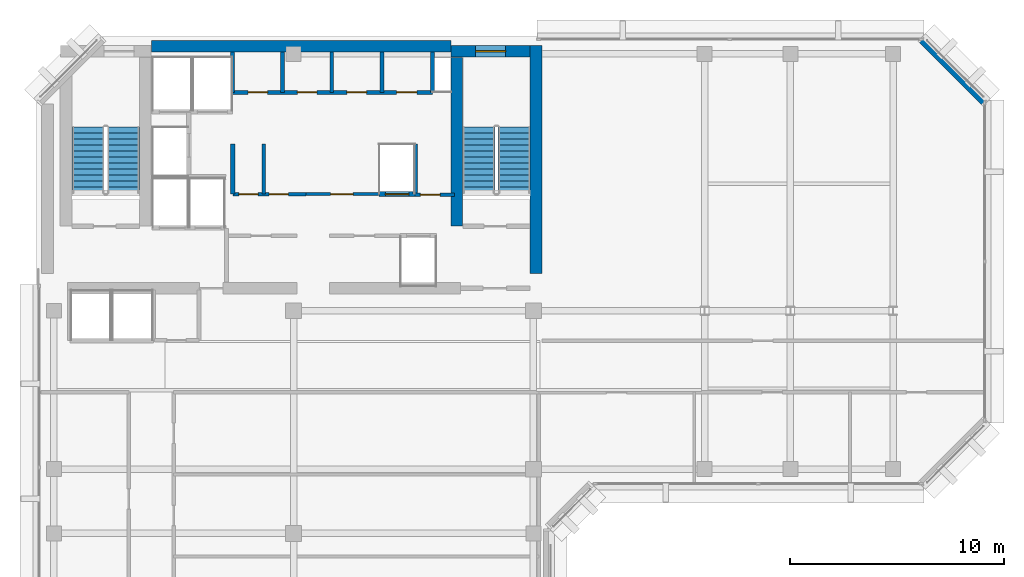
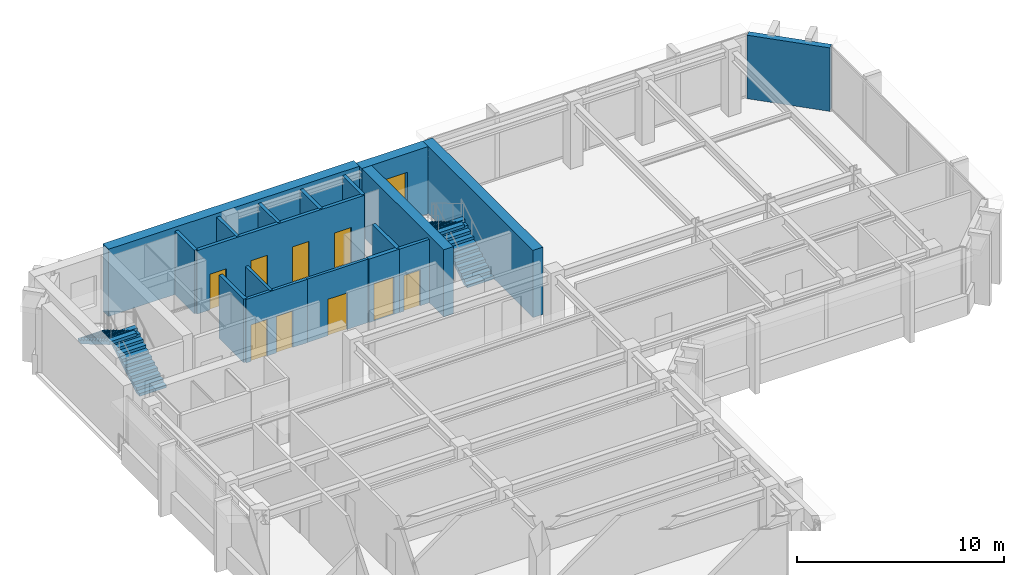
# One storey, part 8 of 11: 18 walls, 9 doors, 4 stair flights, 1 window, 10 openings, 2 elements without a shape of their own.
"""IFC4 building model written with IfcOpenShell, lengths in metres."""

from ifc_helpers import new_model, si_unit, direction, frame, frame_2d, origin, place, context, subcontext, project, spatial, polyline, rectangle, outline, extrude, material, layer, layer_set, type_object, element, fill, aggregate, save


model = new_model("IFC4")

# Units and contexts
model_context = context("Model", 3, precision=1e-05, world=origin(), true_north=direction((0.0, 1.0)))
body_context = subcontext(model_context, "Body", "Model", "MODEL_VIEW")
ifc_project = project(units=[si_unit("LENGTHUNIT", "METRE"), si_unit("AREAUNIT", "SQUARE_METRE"), si_unit("VOLUMEUNIT", "CUBIC_METRE"), si_unit("PLANEANGLEUNIT", "RADIAN"), si_unit("MASSUNIT", "GRAM", prefix="KILO")], contexts=[model_context])

# Site, building, storey
site_placement = place(None, origin())
site = spatial("IfcSite", under=ifc_project, at=site_placement, CompositionType="ELEMENT")
building_placement = place(site_placement, origin())
building = spatial("IfcBuilding", under=site, at=building_placement, Name="Kefirva Bronze Tower", CompositionType="ELEMENT")
storey_placement = place(building_placement, frame((0.0, 0.0, 335.610107421875)))
storey = spatial("IfcBuildingStorey", under=building, at=storey_placement, Name="L82", CompositionType="ELEMENT", Elevation=335.610107421875)

# Wall, opening, door
ifc_material_1 = material(Name="Gypsum acoustic partition")
ifc_layer_1 = layer(ifc_material_1, 0.14990234375, Name="Gypsum acoustic partition")
ifc_layer_set_1 = layer_set([ifc_layer_1], Name="Gypsum acoustic partition")
wall_type_1 = type_object("IfcWallType", Name="Executive Suite Partition 150mm", PredefinedType="PARTITIONING", material=ifc_layer_set_1)
wall_1_placement = place(storey_placement, frame((12.580078125, 38.64990234375, 0.0), z_axis=(0.0, 0.0, 1.0), x_axis=(1.0, 0.0, 0.0)))
wall_1 = element("IfcWall", 1, at=wall_1_placement, inside=storey, type_object=wall_type_1, Name="L82 Partition W-L82-RECMP2", PredefinedType="PARTITIONING", context=body_context, shape_type="SweptSolid", body=[
    extrude(rectangle(XDim=3.3798828125, YDim=0.14990234375, at=frame_2d((1.68994140625, 0.0))), origin(), (0.0, 0.0, 1.0), 3.739990234375),
])
opening_1_placement = place(wall_1_placement, frame((2.199951171875, 0.0, 0.0), z_axis=(0.0, 0.0, 1.0), x_axis=(-1.0, 0.0, 0.0)))
opening_1 = element("IfcOpeningElement", 2, at=opening_1_placement, cuts=wall_1, Name="Opening L82-D-RECMP2", PredefinedType="OPENING", context=body_context, shape_type="SweptSolid", body=[
    extrude(rectangle(XDim=1.050048828125, YDim=2.14990234375, at=frame_2d((0.52490234375, 1.074951171875))), frame((0.0, 0.0849609375, 0.0), z_axis=(0.0, -1.0, 0.0), x_axis=(1.0, 0.0, 0.0)), (0.0, 0.0, 1.0), 0.169921875),
])
ifc_material_2 = material(Name="Acoustic hardwood oak", Category="wood")
door_type_1 = type_object("IfcDoorType", Name="Executive & Boardroom Door 1050x2150", OperationType="NOTDEFINED", PredefinedType="DOOR", material=ifc_material_2)
door_1_placement = place(opening_1_placement, origin())
door_1 = element("IfcDoor", 3, at=door_1_placement, inside=storey, type_object=door_type_1, Name="Door L82-D-RECMP2", OperationType="SINGLE_SWING_RIGHT", OverallHeight=2.14990234375, OverallWidth=1.050048828125, PredefinedType="DOOR", context=body_context, shape_type="SweptSolid", body=[
    extrude(rectangle(XDim=1.050048828125, YDim=2.14990234375, at=frame_2d((0.52490234375, 1.074951171875))), frame((0.0, 0.02490234375, 0.0), z_axis=(0.0, -1.0, 0.0), x_axis=(1.0, 0.0, 0.0)), (0.0, 0.0, 1.0), 0.050048828125),
])
fill(opening_1, door_1)

# Walls
ifc_material_3 = material(Name="Gypsum fireboard shaftwall")
ifc_layer_2 = layer(ifc_material_3, 0.219970703125, Name="Gypsum fireboard shaftwall")
ifc_layer_set_2 = layer_set([ifc_layer_2], Name="Gypsum fireboard shaftwall")
wall_type_2 = type_object("IfcWallType", Name="Fire-Rated Shaft Enclosure Wall 220mm", PredefinedType="PARTITIONING", material=ifc_layer_set_2)
for number, where, z_axis, x_axis, name in (
    (4, (9.159912109375, 38.64990234375, 0.0), (0.0, 0.0, 1.0), (0.0, 1.0, 0.0), "L82 Partition W-L82-LP3W"),
    (5, (17.679931640625, 38.64990234375, 0.0), (0.0, 0.0, 1.0), (0.0, 1.0, 0.0), "L82 Partition W-L82-HP2E"),
):
    element("IfcWall", number, at=place(storey_placement, frame(where, z_axis=z_axis, x_axis=x_axis)), inside=storey, type_object=wall_type_2, Name=name, PredefinedType="PARTITIONING", context=body_context, shape_type="SweptSolid", body=[
        extrude(rectangle(XDim=2.35009765625, YDim=0.199951171875, at=frame_2d((1.175048828125, 0.0))), origin(), (0.0, 0.0, 1.0), 3.739990234375),
    ])

# Wall, opening, door
wall_2_placement = place(storey_placement, frame((15.97998046875, 38.64990234375, 0.0), z_axis=(0.0, 0.0, 1.0), x_axis=(1.0, 0.0, 0.0)))
wall_2 = element("IfcWall", 6, at=wall_2_placement, inside=storey, type_object=wall_type_2, Name="L82 Partition W-L82-HPN", PredefinedType="PARTITIONING", context=body_context, shape_type="SweptSolid", body=[
    extrude(rectangle(XDim=1.719970703125, YDim=0.219970703125, at=frame_2d((0.85986328125, 0.0))), origin(), (0.0, 0.0, 1.0), 3.739990234375),
])
opening_2_placement = place(wall_2_placement, frame((0.300048828125, 0.0, 0.0)))
opening_2 = element("IfcOpeningElement", 7, at=opening_2_placement, cuts=wall_2, Name="Opening L82-LD-HP2", PredefinedType="OPENING", context=body_context, shape_type="SweptSolid", body=[
    extrude(rectangle(XDim=1.10009765625, YDim=2.199951171875, at=frame_2d((0.550048828125, 1.10009765625))), frame((0.0, 0.1201171875, 0.0), z_axis=(0.0, -1.0, 0.0), x_axis=(1.0, 0.0, 0.0)), (0.0, 0.0, 1.0), 0.239990234375),
])
ifc_material_4 = material(Name="Stainless steel 316", Category="steel")
door_type_2 = type_object("IfcDoorType", Name="Passenger Lift Sliding Landing Door 1100x2200", OperationType="SLIDING_TO_LEFT", PredefinedType="DOOR", material=ifc_material_4)
door_2_placement = place(opening_2_placement, origin())
door_2 = element("IfcDoor", 8, at=door_2_placement, inside=storey, type_object=door_type_2, Name="Door L82-LD-HP2", OperationType="SLIDING_TO_LEFT", OverallHeight=2.199951171875, OverallWidth=1.10009765625, PredefinedType="DOOR", context=body_context, shape_type="SweptSolid", body=[
    extrude(rectangle(XDim=1.10009765625, YDim=2.199951171875, at=frame_2d((0.550048828125, 1.10009765625))), frame((0.0, 0.02490234375, 0.0), z_axis=(0.0, -1.0, 0.0), x_axis=(1.0, 0.0, 0.0)), (0.0, 0.0, 1.0), 0.050048828125),
])
fill(opening_2, door_2)

ifc_material_5 = material(Name="Gypsum fireboard barrier")
ifc_layer_3 = layer(ifc_material_5, 0.199951171875, Name="Gypsum fireboard barrier")
ifc_layer_set_3 = layer_set([ifc_layer_3], Name="Gypsum fireboard barrier")
wall_type_3 = type_object("IfcWallType", Name="Firefighting Lobby Barrier Wall 200mm", PredefinedType="PARTITIONING", material=ifc_layer_set_3)
wall_3_placement = place(storey_placement, frame((17.679931640625, 38.6201171875, 0.0), z_axis=(0.0, 0.0, 1.0), x_axis=(1.0, 0.0, 0.0)))
wall_3 = element("IfcWall", 9, at=wall_3_placement, inside=storey, type_object=wall_type_3, Name="L82 Partition W-L82-CPASS", PredefinedType="PARTITIONING", context=body_context, shape_type="SweptSolid", body=[
    extrude(rectangle(XDim=1.840087890625, YDim=0.179931640625, at=frame_2d((0.919921875, 0.0))), origin(), (0.0, 0.0, 1.0), 3.739990234375),
])
opening_3_placement = place(wall_3_placement, frame((0.239990234375, 0.0, 0.0)))
opening_3 = element("IfcOpeningElement", 10, at=opening_3_placement, cuts=wall_3, Name="Opening L82-D-CPAS", PredefinedType="OPENING", context=body_context, shape_type="SweptSolid", body=[
    extrude(rectangle(XDim=0.919921875, YDim=2.10009765625, at=frame_2d((0.4599609375, 1.050048828125))), frame((0.0, 0.10009765625, 0.0), z_axis=(0.0, -1.0, 0.0), x_axis=(1.0, 0.0, 0.0)), (0.0, 0.0, 1.0), 0.199951171875),
])
ifc_material_6 = material(Name="Moisture-resistant timber", Category="wood")
door_type_3 = type_object("IfcDoorType", Name="Accessible Sanitary & WC Door 920x2100", OperationType="NOTDEFINED", PredefinedType="DOOR", material=ifc_material_6)
door_3_placement = place(opening_3_placement, origin())
door_3 = element("IfcDoor", 11, at=door_3_placement, inside=storey, type_object=door_type_3, Name="Door L82-D-CPAS", OperationType="SINGLE_SWING_RIGHT", OverallHeight=2.10009765625, OverallWidth=0.919921875, PredefinedType="DOOR", context=body_context, shape_type="SweptSolid", body=[
    extrude(rectangle(XDim=0.919921875, YDim=2.10009765625, at=frame_2d((0.4599609375, 1.050048828125))), frame((0.0, 0.02490234375, 0.0), z_axis=(0.0, -1.0, 0.0), x_axis=(1.0, 0.0, 0.0)), (0.0, 0.0, 1.0), 0.050048828125),
])
fill(opening_3, door_3)

# Wall
ifc_material_7 = material(Name="Precast concrete C40/50", Category="concrete")
ifc_layer_4 = layer(ifc_material_7, 0.320068359375, Name="Precast concrete C40/50")
ifc_layer_set_4 = layer_set([ifc_layer_4], Name="Precast concrete C40/50")
wall_type_4 = type_object("IfcWallType", Name="Precast Insulated Exterior Wall 320mm", PredefinedType="SOLIDWALL", material=ifc_layer_set_4)
wall_4_placement = place(storey_placement, frame((44.248046875, 42.92578125, 0.0), z_axis=(0.0, 0.0, 1.0), x_axis=(-0.707136318428, 0.707077242712, 0.0)))
element("IfcWall", 12, at=wall_4_placement, inside=storey, type_object=wall_type_4, Name="L82 Exterior Facade Wall 5", PredefinedType="SOLIDWALL", context=body_context, shape_type="SweptSolid", body=[
    extrude(rectangle(XDim=4.132568359375, YDim=0.320068359375, at=frame_2d((2.06640625, 0.0))), origin(), (0.0, 0.0, 1.0), 3.739990234375),
])

# Wall, openings, doors
ifc_layer_5 = layer(ifc_material_1, 0.159912109375, Name="Gypsum acoustic partition")
ifc_layer_set_5 = layer_set([ifc_layer_5], Name="Gypsum acoustic partition")
wall_type_5 = type_object("IfcWallType", Name="Protected Corridor Partition 160mm", PredefinedType="PARTITIONING", material=ifc_layer_set_5)
wall_5_placement = place(storey_placement, frame((9.159912109375, 38.64990234375, 0.0), z_axis=(0.0, 0.0, 1.0), x_axis=(1.0, 0.0, 0.0)))
wall_5 = element("IfcWall", 13, at=wall_5_placement, inside=storey, type_object=wall_type_5, Name="L82 Partition W-L82-RECLP2", PredefinedType="PARTITIONING", context=body_context, shape_type="SweptSolid", body=[
    extrude(rectangle(XDim=3.420166015625, YDim=0.159912109375, at=frame_2d((1.7099609375, 0.0))), origin(), (0.0, 0.0, 1.0), 3.739990234375),
])
opening_4_placement = place(wall_5_placement, frame((1.179931640625, 0.0, 0.0), z_axis=(0.0, 0.0, 1.0), x_axis=(-1.0, 0.0, 0.0)))
opening_4 = element("IfcOpeningElement", 14, at=opening_4_placement, cuts=wall_5, Name="Opening L82-D-RECLP2A", PredefinedType="OPENING", context=body_context, shape_type="SweptSolid", body=[
    extrude(rectangle(XDim=0.89990234375, YDim=2.14990234375, at=frame_2d((0.449951171875, 1.074951171875))), frame((0.0, 0.08984375, 0.0), z_axis=(0.0, -1.0, 0.0), x_axis=(1.0, 0.0, 0.0)), (0.0, 0.0, 1.0), 0.179931640625),
])
opening_5_placement = place(wall_5_placement, frame((2.599853515625, 0.0, 0.0), z_axis=(0.0, 0.0, 1.0), x_axis=(-1.0, 0.0, 0.0)))
opening_5 = element("IfcOpeningElement", 15, at=opening_5_placement, cuts=wall_5, Name="Opening L82-D-RECLP2B", PredefinedType="OPENING", context=body_context, shape_type="SweptSolid", body=[
    extrude(rectangle(XDim=0.89990234375, YDim=2.14990234375, at=frame_2d((0.449951171875, 1.074951171875))), frame((0.0, 0.08984375, 0.0), z_axis=(0.0, -1.0, 0.0), x_axis=(1.0, 0.0, 0.0)), (0.0, 0.0, 1.0), 0.179931640625),
])
ifc_material_8 = material(Name="Painted galvanized steel", Category="steel")
door_type_4 = type_object("IfcDoorType", Name="Core Archive & Server Fire Door 900x2150 FD60S", OperationType="NOTDEFINED", PredefinedType="DOOR", material=ifc_material_8)
door_4_placement = place(opening_4_placement, origin())
door_4 = element("IfcDoor", 16, at=door_4_placement, inside=storey, type_object=door_type_4, Name="Door L82-D-RECLP2A", OperationType="SINGLE_SWING_LEFT", OverallHeight=2.14990234375, OverallWidth=0.89990234375, PredefinedType="DOOR", context=body_context, shape_type="SweptSolid", body=[
    extrude(rectangle(XDim=0.89990234375, YDim=2.14990234375, at=frame_2d((0.449951171875, 1.074951171875))), frame((0.0, 0.02490234375, 0.0), z_axis=(0.0, -1.0, 0.0), x_axis=(1.0, 0.0, 0.0)), (0.0, 0.0, 1.0), 0.050048828125),
])
fill(opening_4, door_4)
door_5_placement = place(opening_5_placement, origin())
door_5 = element("IfcDoor", 17, at=door_5_placement, inside=storey, type_object=door_type_4, Name="Door L82-D-RECLP2B", OperationType="SINGLE_SWING_RIGHT", OverallHeight=2.14990234375, OverallWidth=0.89990234375, PredefinedType="DOOR", context=body_context, shape_type="SweptSolid", body=[
    extrude(rectangle(XDim=0.89990234375, YDim=2.14990234375, at=frame_2d((0.449951171875, 1.074951171875))), frame((0.0, 0.02490234375, 0.0), z_axis=(0.0, -1.0, 0.0), x_axis=(1.0, 0.0, 0.0)), (0.0, 0.0, 1.0), 0.050048828125),
])
fill(opening_5, door_5)

# Walls
wall_6_placement = place(storey_placement, frame((10.60009765625, 38.64990234375, 0.0), z_axis=(0.0, 0.0, 1.0), x_axis=(0.0, 1.0, 0.0)))
element("IfcWall", 18, at=wall_6_placement, inside=storey, type_object=wall_type_5, Name="L82 Partition W-L82-RECLP2D", PredefinedType="PARTITIONING", context=body_context, shape_type="SweptSolid", body=[
    extrude(rectangle(XDim=2.35009765625, YDim=0.159912109375, at=frame_2d((1.175048828125, 0.0))), origin(), (0.0, 0.0, 1.0), 3.739990234375),
])
ifc_material_9 = material(Name="Concrete C50/60", Category="concrete")
ifc_layer_6 = layer(ifc_material_9, 0.550048828125, Name="Concrete C50/60")
ifc_layer_set_6 = layer_set([ifc_layer_6], Name="Concrete C50/60")
wall_type_6 = type_object("IfcWallType", Name="RC Rear Core Exterior Wall 550mm", PredefinedType="SHEAR", material=ifc_layer_set_6)
wall_7_placement = place(storey_placement, frame((5.360107421875, 45.550048828125, 0.0), z_axis=(0.0, 0.0, 1.0), x_axis=(1.0, 0.0, 0.0)))
element("IfcWall", 19, at=wall_7_placement, inside=storey, type_object=wall_type_6, Name="L82 Rear Core North Shear Wall", PredefinedType="SHEAR", context=body_context, shape_type="SweptSolid", body=[
    extrude(rectangle(XDim=13.97998046875, YDim=0.550048828125, at=frame_2d((6.989990234375, 0.0))), origin(), (0.0, 0.0, 1.0), 3.9599609375),
])

# Wall, opening, window
wall_8_placement = place(storey_placement, frame((19.35009765625, 45.320068359375, 0.0), z_axis=(0.0, 0.0, 1.0), x_axis=(1.0, 0.0, 0.0)))
wall_8 = element("IfcWall", 20, at=wall_8_placement, inside=storey, type_object=wall_type_6, Name="L82 Stair 2 North Shear Wall", PredefinedType="SHEAR", context=body_context, shape_type="SweptSolid", body=[
    extrude(rectangle(XDim=3.68994140625, YDim=0.550048828125, at=frame_2d((1.844970703125, 0.0))), origin(), (0.0, 0.0, 1.0), 3.9599609375),
])
opening_6_placement = place(wall_8_placement, frame((1.14990234375, 0.0, 1.050048828125)))
opening_6 = element("IfcOpeningElement", 21, at=opening_6_placement, cuts=wall_8, Name="Opening WN-03", PredefinedType="OPENING", context=body_context, shape_type="SweptSolid", body=[
    extrude(rectangle(XDim=1.39990234375, YDim=1.800048828125, at=frame_2d((0.699951171875, 0.89990234375))), frame((0.0, 0.28515625, 0.0), z_axis=(0.0, -1.0, 0.0), x_axis=(1.0, 0.0, 0.0)), (0.0, 0.0, 1.0), 0.570068359375),
])
ifc_material_10 = material(Name="Laminated low-E double glazing", Category="glass")
window_type = type_object("IfcWindowType", Name="Rear-Core Stair Daylight Window 1400x1800", PartitioningType="SINGLE_PANEL", PredefinedType="WINDOW", material=ifc_material_10)
window_placement = place(opening_6_placement, origin())
window = element("IfcWindow", 22, at=window_placement, inside=storey, type_object=window_type, Name="L82 Stair 2 Daylight Window", OverallHeight=1.800048828125, OverallWidth=1.39990234375, PartitioningType="SINGLE_PANEL", PredefinedType="WINDOW", context=body_context, shape_type="SweptSolid", body=[
    extrude(rectangle(XDim=1.39990234375, YDim=1.800048828125, at=frame_2d((0.699951171875, 0.89990234375))), frame((0.0, 0.030029296875, 0.0), z_axis=(0.0, -1.0, 0.0), x_axis=(1.0, 0.0, 0.0)), (0.0, 0.0, 1.0), 0.06005859375),
])
fill(opening_6, window)

# Walls
ifc_layer_7 = layer(ifc_material_9, 0.550048828125, Name="Concrete C50/60")
ifc_layer_set_7 = layer_set([ifc_layer_7], Name="Concrete C50/60")
wall_type_7 = type_object("IfcWallType", Name="RC Rear Core Interior Wall 550mm", PredefinedType="SHEAR", material=ifc_layer_set_7)
wall_9_placement = place(storey_placement, frame((23.324951171875, 34.949951171875, 0.0), z_axis=(0.0, 0.0, 1.0), x_axis=(0.0, 1.0, 0.0)))
element("IfcWall", 23, at=wall_9_placement, inside=storey, type_object=wall_type_7, Name="L82 Rear Core East Shear Wall", PredefinedType="SHEAR", context=body_context, shape_type="SweptSolid", body=[
    extrude(rectangle(XDim=10.64013671875, YDim=0.550048828125, at=frame_2d((5.320068359375, 0.0))), origin(), (0.0, 0.0, 1.0), 3.9599609375),
])
wall_10_placement = place(storey_placement, frame((19.6201171875, 37.14990234375, 0.0), z_axis=(0.0, 0.0, 1.0), x_axis=(0.0, 1.0, 0.0)))
element("IfcWall", 24, at=wall_10_placement, inside=storey, type_object=wall_type_7, Name="L82 Stair 2 West Shear Wall", PredefinedType="SHEAR", context=body_context, shape_type="SweptSolid", body=[
    extrude(rectangle(XDim=7.89013671875, YDim=0.550048828125, at=frame_2d((3.945068359375, 0.0))), origin(), (0.0, 0.0, 1.0), 3.9599609375),
])

# Wall, openings, doors
ifc_material_11 = material(Name="Moisture-resistant partition")
ifc_layer_8 = layer(ifc_material_11, 0.179931640625, Name="Moisture-resistant partition")
ifc_layer_set_8 = layer_set([ifc_layer_8], Name="Moisture-resistant partition")
wall_type_8 = type_object("IfcWallType", Name="Sanitary Plumbing Chase Wall 180mm", PredefinedType="PLUMBINGWALL", material=ifc_layer_set_8)
wall_11_placement = place(storey_placement, frame((9.14990234375, 43.39990234375, 0.0), z_axis=(0.0, 0.0, 1.0), x_axis=(1.0, 0.0, 0.0)))
wall_11 = element("IfcWall", 25, at=wall_11_placement, inside=storey, type_object=wall_type_8, Name="L82 Partition W-L82-SVCS", PredefinedType="PLUMBINGWALL", context=body_context, shape_type="SweptSolid", body=[
    extrude(rectangle(XDim=9.330078125, YDim=0.179931640625, at=frame_2d((4.6650390625, 0.0))), origin(), (0.0, 0.0, 1.0), 3.739990234375),
])
opening_7_placement = place(wall_11_placement, frame((0.719970703125, 0.0, 0.0)))
opening_7 = element("IfcOpeningElement", 26, at=opening_7_placement, cuts=wall_11, Name="Opening L82-D-CSVC1", PredefinedType="OPENING", context=body_context, shape_type="SweptSolid", body=[
    extrude(rectangle(XDim=0.919921875, YDim=2.10009765625, at=frame_2d((0.4599609375, 1.050048828125))), frame((0.0, 0.10009765625, 0.0), z_axis=(0.0, -1.0, 0.0), x_axis=(1.0, 0.0, 0.0)), (0.0, 0.0, 1.0), 0.199951171875),
])
opening_8_placement = place(wall_11_placement, frame((3.02001953125, 0.0, 0.0)))
opening_8 = element("IfcOpeningElement", 27, at=opening_8_placement, cuts=wall_11, Name="Opening L82-D-CSVC2", PredefinedType="OPENING", context=body_context, shape_type="SweptSolid", body=[
    extrude(rectangle(XDim=0.919921875, YDim=2.10009765625, at=frame_2d((0.4599609375, 1.050048828125))), frame((0.0, 0.10009765625, 0.0), z_axis=(0.0, -1.0, 0.0), x_axis=(1.0, 0.0, 0.0)), (0.0, 0.0, 1.0), 0.199951171875),
])
opening_9_placement = place(wall_11_placement, frame((5.340087890625, 0.0, 0.0)))
opening_9 = element("IfcOpeningElement", 28, at=opening_9_placement, cuts=wall_11, Name="Opening L82-D-CSVC3", PredefinedType="OPENING", context=body_context, shape_type="SweptSolid", body=[
    extrude(rectangle(XDim=0.919921875, YDim=2.10009765625, at=frame_2d((0.4599609375, 1.050048828125))), frame((0.0, 0.10009765625, 0.0), z_axis=(0.0, -1.0, 0.0), x_axis=(1.0, 0.0, 0.0)), (0.0, 0.0, 1.0), 0.199951171875),
])
opening_10_placement = place(wall_11_placement, frame((7.659912109375, 0.0, 0.0)))
opening_10 = element("IfcOpeningElement", 29, at=opening_10_placement, cuts=wall_11, Name="Opening L82-D-CSVC4", PredefinedType="OPENING", context=body_context, shape_type="SweptSolid", body=[
    extrude(rectangle(XDim=0.949951171875, YDim=2.10009765625, at=frame_2d((0.47509765625, 1.050048828125))), frame((0.0, 0.10009765625, 0.0), z_axis=(0.0, -1.0, 0.0), x_axis=(1.0, 0.0, 0.0)), (0.0, 0.0, 1.0), 0.199951171875),
])
door_6_placement = place(opening_7_placement, origin())
door_6 = element("IfcDoor", 30, at=door_6_placement, inside=storey, type_object=door_type_3, Name="Door L82-D-CSVC1", OperationType="SINGLE_SWING_LEFT", OverallHeight=2.10009765625, OverallWidth=0.919921875, PredefinedType="DOOR", context=body_context, shape_type="SweptSolid", body=[
    extrude(rectangle(XDim=0.919921875, YDim=2.10009765625, at=frame_2d((0.4599609375, 1.050048828125))), frame((0.0, 0.02490234375, 0.0), z_axis=(0.0, -1.0, 0.0), x_axis=(1.0, 0.0, 0.0)), (0.0, 0.0, 1.0), 0.050048828125),
])
fill(opening_7, door_6)
door_7_placement = place(opening_8_placement, origin())
door_7 = element("IfcDoor", 31, at=door_7_placement, inside=storey, type_object=door_type_3, Name="Door L82-D-CSVC2", OperationType="SINGLE_SWING_RIGHT", OverallHeight=2.10009765625, OverallWidth=0.919921875, PredefinedType="DOOR", context=body_context, shape_type="SweptSolid", body=[
    extrude(rectangle(XDim=0.919921875, YDim=2.10009765625, at=frame_2d((0.4599609375, 1.050048828125))), frame((0.0, 0.02490234375, 0.0), z_axis=(0.0, -1.0, 0.0), x_axis=(1.0, 0.0, 0.0)), (0.0, 0.0, 1.0), 0.050048828125),
])
fill(opening_8, door_7)
door_8_placement = place(opening_9_placement, origin())
door_8 = element("IfcDoor", 32, at=door_8_placement, inside=storey, type_object=door_type_3, Name="Door L82-D-CSVC3", OperationType="SINGLE_SWING_LEFT", OverallHeight=2.10009765625, OverallWidth=0.919921875, PredefinedType="DOOR", context=body_context, shape_type="SweptSolid", body=[
    extrude(rectangle(XDim=0.919921875, YDim=2.10009765625, at=frame_2d((0.4599609375, 1.050048828125))), frame((0.0, 0.02490234375, 0.0), z_axis=(0.0, -1.0, 0.0), x_axis=(1.0, 0.0, 0.0)), (0.0, 0.0, 1.0), 0.050048828125),
])
fill(opening_9, door_8)
door_type_5 = type_object("IfcDoorType", Name="Riser & Plant Shaft Fire Door 950x2100 FD60S", OperationType="NOTDEFINED", PredefinedType="DOOR", material=ifc_material_8)
door_9_placement = place(opening_10_placement, origin())
door_9 = element("IfcDoor", 33, at=door_9_placement, inside=storey, type_object=door_type_5, Name="Door L82-D-CSVC4", OperationType="SINGLE_SWING_RIGHT", OverallHeight=2.10009765625, OverallWidth=0.949951171875, PredefinedType="DOOR", context=body_context, shape_type="SweptSolid", body=[
    extrude(rectangle(XDim=0.949951171875, YDim=2.10009765625, at=frame_2d((0.47509765625, 1.050048828125))), frame((0.0, 0.02490234375, 0.0), z_axis=(0.0, -1.0, 0.0), x_axis=(1.0, 0.0, 0.0)), (0.0, 0.0, 1.0), 0.050048828125),
])
fill(opening_10, door_9)

# Walls
for number, where, z_axis, x_axis, name in (
    (34, (9.14990234375, 43.39990234375, 0.0), (0.0, 0.0, 1.0), (0.0, 1.0, 0.0), "L82 Partition W-L82-SVCW"),
    (35, (18.47998046875, 43.39990234375, 0.0), (0.0, 0.0, 1.0), (0.0, 1.0, 0.0), "L82 Partition W-L82-SVCE"),
    (36, (11.47998046875, 43.39990234375, 0.0), (0.0, 0.0, 1.0), (0.0, 1.0, 0.0), "L82 Partition W-L82-CSVD-1"),
    (37, (13.780029296875, 43.39990234375, 0.0), (0.0, 0.0, 1.0), (0.0, 1.0, 0.0), "L82 Partition W-L82-CSVD-2"),
    (38, (16.1201171875, 43.39990234375, 0.0), (0.0, 0.0, 1.0), (0.0, 1.0, 0.0), "L82 Partition W-L82-CSVD-3"),
):
    element("IfcWall", number, at=place(storey_placement, frame(where, z_axis=z_axis, x_axis=x_axis)), inside=storey, type_object=wall_type_8, Name=name, PredefinedType="PLUMBINGWALL", context=body_context, shape_type="SweptSolid", body=[
        extrude(rectangle(XDim=1.880126953125, YDim=0.179931640625, at=frame_2d((0.93994140625, 0.0))), origin(), (0.0, 0.0, 1.0), 3.739990234375),
    ])

# Stair, stair flights
ifc_material_12 = material(Name="Concrete C40/50", Category="concrete")
stair_type = type_object("IfcStairType", Name="RC Dogleg Protected Stair 24R", PredefinedType="HALF_TURN_STAIR", material=ifc_material_12)
stair_1_placement = place(storey_placement, origin())
stair_1 = element("IfcStair", 39, at=stair_1_placement, inside=storey, type_object=stair_type, Name="L82 Protected Exit Stair 1", PredefinedType="HALF_TURN_STAIR")
stair_flight_type = type_object("IfcStairFlightType", Name="RC Straight Stair Flight 24R", PredefinedType="STRAIGHT", material=ifc_material_12)
stair_flight_1_placement = place(storey_placement, frame((4.050048828125, 38.699951171875, 0.0), z_axis=(0.0, 0.0, 1.0), x_axis=(0.0, 1.0, 0.0)))
stair_flight_1 = element("IfcStairFlight", 40, at=stair_flight_1_placement, type_object=stair_flight_type, Name="ST-1 flight 1", NumberOfRisers=12, NumberOfTreads=11, PredefinedType="STRAIGHT", RiserHeight=0.165, TreadLength=0.28, context=body_context, shape_type="SweptSolid", body=[
    extrude(outline(polyline([(0.0, 0.0), (0.0, 0.1650390625), (0.280029296875, 0.1650390625), (0.280029296875, 0.330078125), (0.56005859375, 0.330078125), (0.56005859375, 0.4951171875), (0.840087890625, 0.4951171875), (0.840087890625, 0.659912109375), (1.1201171875, 0.659912109375), (1.1201171875, 0.824951171875), (1.39990234375, 0.824951171875), (1.39990234375, 0.989990234375), (1.679931640625, 0.989990234375), (1.679931640625, 1.155029296875), (1.9599609375, 1.155029296875), (1.9599609375, 1.320068359375), (2.239990234375, 1.320068359375), (2.239990234375, 1.485107421875), (2.52001953125, 1.485107421875), (2.52001953125, 1.64990234375), (2.800048828125, 1.64990234375), (2.800048828125, 1.81494140625), (3.080078125, 1.81494140625), (3.080078125, 1.97998046875), (3.080078125, 1.64111328125), (0.295166015625, 0.0), (0.0, 0.0)])), frame((0.0, 0.75, 0.0), z_axis=(0.0, -1.0, 0.0), x_axis=(1.0, 0.0, 0.0)), (0.0, 0.0, 1.0), 1.5),
])
stair_flight_2_placement = place(storey_placement, frame((2.39990234375, 41.780029296875, 1.97998046875), z_axis=(0.0, 0.0, 1.0), x_axis=(0.0, -1.0, 0.0)))
stair_flight_2 = element("IfcStairFlight", 41, at=stair_flight_2_placement, type_object=stair_flight_type, Name="ST-1 flight 2", NumberOfRisers=12, NumberOfTreads=11, PredefinedType="STRAIGHT", RiserHeight=0.165, TreadLength=0.28, context=body_context, shape_type="SweptSolid", body=[
    extrude(outline(polyline([(0.0, 0.0), (0.0, 0.1650390625), (0.280029296875, 0.1650390625), (0.280029296875, 0.330078125), (0.56005859375, 0.330078125), (0.56005859375, 0.4951171875), (0.840087890625, 0.4951171875), (0.840087890625, 0.659912109375), (1.1201171875, 0.659912109375), (1.1201171875, 0.824951171875), (1.39990234375, 0.824951171875), (1.39990234375, 0.989990234375), (1.679931640625, 0.989990234375), (1.679931640625, 1.155029296875), (1.9599609375, 1.155029296875), (1.9599609375, 1.320068359375), (2.239990234375, 1.320068359375), (2.239990234375, 1.485107421875), (2.52001953125, 1.485107421875), (2.52001953125, 1.64990234375), (2.800048828125, 1.64990234375), (2.800048828125, 1.81494140625), (3.080078125, 1.81494140625), (3.080078125, 1.97998046875), (3.080078125, 1.64111328125), (0.295166015625, 0.0), (0.0, 0.0)])), frame((0.0, 0.75, 0.0), z_axis=(0.0, -1.0, 0.0), x_axis=(1.0, 0.0, 0.0)), (0.0, 0.0, 1.0), 1.5),
])
aggregate(stair_1, [stair_flight_1, stair_flight_2])

stair_2_placement = place(storey_placement, origin())
stair_2 = element("IfcStair", 42, at=stair_2_placement, inside=storey, type_object=stair_type, Name="L82 Protected Exit Stair 2", PredefinedType="HALF_TURN_STAIR")
stair_flight_3_placement = place(storey_placement, frame((22.300048828125, 38.699951171875, 0.0), z_axis=(0.0, 0.0, 1.0), x_axis=(0.0, 1.0, 0.0)))
stair_flight_3 = element("IfcStairFlight", 43, at=stair_flight_3_placement, type_object=stair_flight_type, Name="ST-2 flight 1", NumberOfRisers=12, NumberOfTreads=11, PredefinedType="STRAIGHT", RiserHeight=0.165, TreadLength=0.28, context=body_context, shape_type="SweptSolid", body=[
    extrude(outline(polyline([(0.0, 0.0), (0.0, 0.1650390625), (0.280029296875, 0.1650390625), (0.280029296875, 0.330078125), (0.56005859375, 0.330078125), (0.56005859375, 0.4951171875), (0.840087890625, 0.4951171875), (0.840087890625, 0.659912109375), (1.1201171875, 0.659912109375), (1.1201171875, 0.824951171875), (1.39990234375, 0.824951171875), (1.39990234375, 0.989990234375), (1.679931640625, 0.989990234375), (1.679931640625, 1.155029296875), (1.9599609375, 1.155029296875), (1.9599609375, 1.320068359375), (2.239990234375, 1.320068359375), (2.239990234375, 1.485107421875), (2.52001953125, 1.485107421875), (2.52001953125, 1.64990234375), (2.800048828125, 1.64990234375), (2.800048828125, 1.81494140625), (3.080078125, 1.81494140625), (3.080078125, 1.97998046875), (3.080078125, 1.64111328125), (0.295166015625, 0.0), (0.0, 0.0)])), frame((0.0, 0.75, 0.0), z_axis=(0.0, -1.0, 0.0), x_axis=(1.0, 0.0, 0.0)), (0.0, 0.0, 1.0), 1.5),
])
stair_flight_4_placement = place(storey_placement, frame((20.64990234375, 41.780029296875, 1.97998046875), z_axis=(0.0, 0.0, 1.0), x_axis=(0.0, -1.0, 0.0)))
stair_flight_4 = element("IfcStairFlight", 44, at=stair_flight_4_placement, type_object=stair_flight_type, Name="ST-2 flight 2", NumberOfRisers=12, NumberOfTreads=11, PredefinedType="STRAIGHT", RiserHeight=0.165, TreadLength=0.28, context=body_context, shape_type="SweptSolid", body=[
    extrude(outline(polyline([(0.0, 0.0), (0.0, 0.1650390625), (0.280029296875, 0.1650390625), (0.280029296875, 0.330078125), (0.56005859375, 0.330078125), (0.56005859375, 0.4951171875), (0.840087890625, 0.4951171875), (0.840087890625, 0.659912109375), (1.1201171875, 0.659912109375), (1.1201171875, 0.824951171875), (1.39990234375, 0.824951171875), (1.39990234375, 0.989990234375), (1.679931640625, 0.989990234375), (1.679931640625, 1.155029296875), (1.9599609375, 1.155029296875), (1.9599609375, 1.320068359375), (2.239990234375, 1.320068359375), (2.239990234375, 1.485107421875), (2.52001953125, 1.485107421875), (2.52001953125, 1.64990234375), (2.800048828125, 1.64990234375), (2.800048828125, 1.81494140625), (3.080078125, 1.81494140625), (3.080078125, 1.97998046875), (3.080078125, 1.64111328125), (0.295166015625, 0.0), (0.0, 0.0)])), frame((0.0, 0.75, 0.0), z_axis=(0.0, -1.0, 0.0), x_axis=(1.0, 0.0, 0.0)), (0.0, 0.0, 1.0), 1.5),
])
aggregate(stair_2, [stair_flight_3, stair_flight_4])

save(model, "model.ifc")
